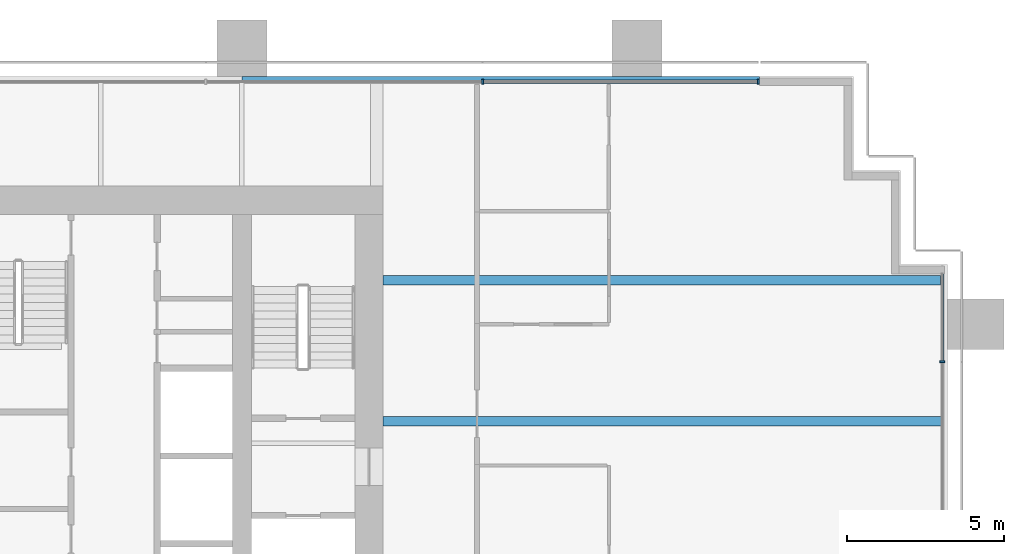
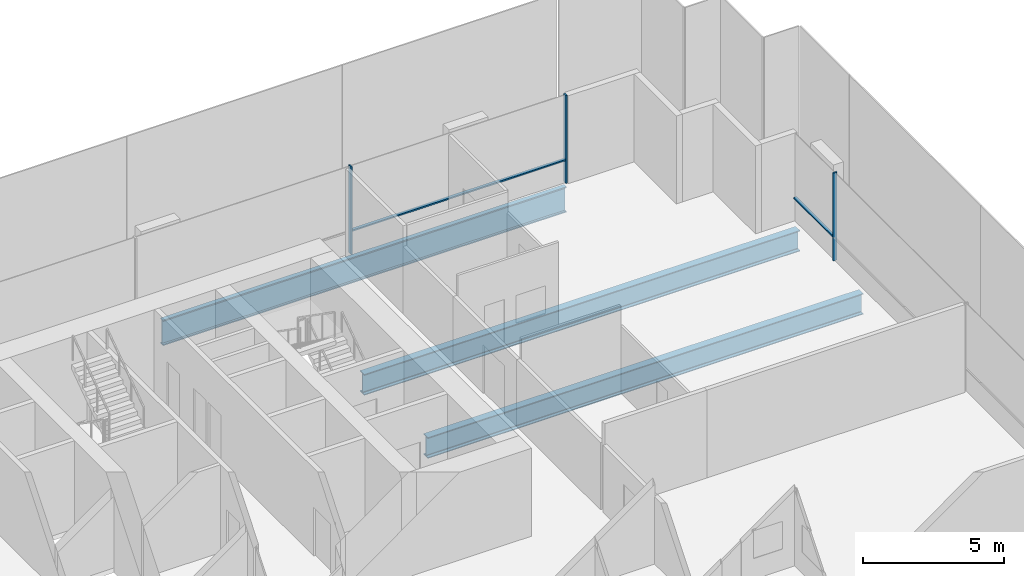
# One storey, part 10 of 19: 5 members, 3 beams, 2 elements without a shape of their own.
"""IFC4 building model written with IfcOpenShell, lengths in metres."""

from ifc_helpers import new_model, si_unit, direction, frame, origin, origin_2d, place, context, subcontext, project, spatial, rectangle, i_section, extrude, material, material_profile, profile_set, type_object, element, aggregate, save


model = new_model("IFC4")

# Units and contexts
model_context = context("Model", 3, precision=1e-05, world=origin(), true_north=direction((0.0, 1.0)))
body_context = subcontext(model_context, "Body", "Model", "MODEL_VIEW")
ifc_project = project(units=[si_unit("LENGTHUNIT", "METRE"), si_unit("AREAUNIT", "SQUARE_METRE"), si_unit("VOLUMEUNIT", "CUBIC_METRE"), si_unit("PLANEANGLEUNIT", "RADIAN"), si_unit("MASSUNIT", "GRAM", prefix="KILO")], contexts=[model_context])

# Site, building, storey
site_placement = place(None, origin())
site = spatial("IfcSite", under=ifc_project, at=site_placement, CompositionType="ELEMENT")
building_placement = place(site_placement, origin())
building = spatial("IfcBuilding", under=site, at=building_placement, Name="Rattan Terrace Tower", CompositionType="ELEMENT")
storey_placement = place(building_placement, frame((0.0, 0.0, 79.699951171875)))
storey = spatial("IfcBuildingStorey", under=building, at=storey_placement, Name="L17", CompositionType="ELEMENT", Elevation=79.699951171875)

# Curtain wall, member
ifc_material_1 = material(Name="Aluminium and glass", Category="aluminium")
curtain_wall_type = type_object("IfcCurtainWallType", Name="Facade Unitised Curtain Wall", PredefinedType="NOTDEFINED", material=ifc_material_1)
curtain_wall_1_placement = place(storey_placement, origin())
curtain_wall_1 = element("IfcCurtainWall", 1, at=curtain_wall_1_placement, inside=storey, type_object=curtain_wall_type, Name="Curtain wall L17-1", PredefinedType="NOTDEFINED")
ifc_material_2 = material(Name="Aluminium", Category="aluminium")
ifc_material_profile_1 = material_profile(ifc_material_2, rectangle(XDim=0.06005859375, YDim=0.159912109375, at=origin_2d()), Name="Aluminium 60x160")
ifc_profile_set_1 = profile_set([ifc_material_profile_1], Name="Aluminium")
member_type_1 = type_object("IfcMemberType", Name="Facade CW Mullion 60x160", PredefinedType="MULLION", material=ifc_profile_set_1)
member_1_placement = place(storey_placement, frame((35.830078125, 1.89990234375, 0.0), z_axis=(0.0, 0.0, 1.0), x_axis=(0.0, 1.0, 0.0)))
member_1 = element("IfcMember", 2, at=member_1_placement, type_object=member_type_1, Name="Mullion cwl-L17-001.4", PredefinedType="MULLION", context=body_context, shape_type="SweptSolid", body=[
    extrude(rectangle(XDim=0.06005859375, YDim=0.159912109375, at=origin_2d()), origin(), (0.0, 0.0, 1.0), 3.800048828125),
])

# Curtain wall, members
curtain_wall_2_placement = place(storey_placement, origin())
curtain_wall_2 = element("IfcCurtainWall", 3, at=curtain_wall_2_placement, inside=storey, type_object=curtain_wall_type, Name="Curtain wall L17-2", PredefinedType="NOTDEFINED")
member_2_placement = place(storey_placement, frame((29.969970703125, 10.830078125, 0.0), z_axis=(0.0, 0.0, 1.0), x_axis=(-1.0, 0.0, 0.0)))
member_2 = element("IfcMember", 4, at=member_2_placement, type_object=member_type_1, Name="Mullion cwl-L17-002.1", PredefinedType="MULLION", context=body_context, shape_type="SweptSolid", body=[
    extrude(rectangle(XDim=0.06005859375, YDim=0.159912109375, at=origin_2d()), origin(), (0.0, 0.0, 1.0), 3.800048828125),
])
member_3_placement = place(storey_placement, frame((21.177001953125, 10.830078125, 0.0), z_axis=(0.0, 0.0, 1.0), x_axis=(-1.0, 0.0, 0.0)))
member_3 = element("IfcMember", 5, at=member_3_placement, type_object=member_type_1, Name="Mullion cwl-L17-002.2", PredefinedType="MULLION", context=body_context, shape_type="SweptSolid", body=[
    extrude(rectangle(XDim=0.06005859375, YDim=0.159912109375, at=origin_2d()), origin(), (0.0, 0.0, 1.0), 3.800048828125),
])

# Member
ifc_material_3 = material(Name="Aluminium", Category="aluminium")
ifc_material_profile_2 = material_profile(ifc_material_3, rectangle(XDim=0.1201171875, YDim=0.06005859375, at=origin_2d()), Name="Aluminium 120x60")
ifc_profile_set_2 = profile_set([ifc_material_profile_2], Name="Aluminium")
member_type_2 = type_object("IfcMemberType", Name="Facade CW Transom 120x60", PredefinedType="USERDEFINED", material=ifc_profile_set_2)
member_4_placement = place(storey_placement, frame((35.830078125, 1.929931640625, 1.0), z_axis=(0.0, 1.0, 0.0), x_axis=(-1.0, 0.0, 0.0)))
member_4 = element("IfcMember", 6, at=member_4_placement, type_object=member_type_2, Name="Transom cwl-L17-001.4", ObjectType="TRANSOM", PredefinedType="USERDEFINED", context=body_context, shape_type="SweptSolid", body=[
    extrude(rectangle(XDim=0.1201171875, YDim=0.06005859375, at=origin_2d()), origin(), (0.0, 0.0, 1.0), 2.775146484375),
])

aggregate(curtain_wall_1, [member_1, member_4])

member_5_placement = place(storey_placement, frame((29.93994140625, 10.830078125, 1.0), z_axis=(-1.0, 0.0, 0.0), x_axis=(0.0, -1.0, 0.0)))
member_5 = element("IfcMember", 7, at=member_5_placement, type_object=member_type_2, Name="Transom cwl-L17-002.1", ObjectType="TRANSOM", PredefinedType="USERDEFINED", context=body_context, shape_type="SweptSolid", body=[
    extrude(rectangle(XDim=0.1201171875, YDim=0.06005859375, at=origin_2d()), origin(), (0.0, 0.0, 1.0), 8.73291015625),
])

aggregate(curtain_wall_2, [member_2, member_3, member_5])

# Beams
ifc_material_4 = material(Name="Steel S460", Category="steel")
ifc_material_profile_3 = material_profile(ifc_material_4, i_section(OverallWidth=0.179931640625, OverallDepth=1.10009765625, WebThickness=0.01611328125, FlangeThickness=0.050048828125, at=origin_2d()), Name="PG 1100x180-16-50")
ifc_profile_set_3 = profile_set([ifc_material_profile_3], Name="Steel S460")
beam_type_1 = type_object("IfcBeamType", Name="Frame edge girder PG 1100x180-16-50", PredefinedType="SPANDREL", material=ifc_profile_set_3)
beam_placement = place(storey_placement, frame((30.0, 10.909912109375, -0.75), z_axis=(-1.0, 0.0, 0.0), x_axis=(0.0, -1.0, 0.0)))
element("IfcBeam", 8, at=beam_placement, inside=storey, type_object=beam_type_1, Name="gdr-L17-008", PredefinedType="SPANDREL", context=body_context, shape_type="SweptSolid", body=[
    extrude(i_section(OverallWidth=0.179931640625, OverallDepth=1.10009765625, WebThickness=0.01611328125, FlangeThickness=0.050048828125, at=origin_2d()), origin(), (0.0, 0.0, 1.0), 16.5),
])
ifc_material_5 = material(Name="Steel S355", Category="steel")
ifc_material_profile_4 = material_profile(ifc_material_5, i_section(OverallWidth=0.300048828125, OverallDepth=0.89990234375, WebThickness=0.0185546875, FlangeThickness=0.034912109375, FilletRadius=0.030029296875, at=origin_2d()), Name="HE 900 B")
ifc_profile_set_4 = profile_set([ifc_material_profile_4], Name="Steel S355")
beam_type_2 = type_object("IfcBeamType", Name="Frame floor beam HE 900 B", PredefinedType="JOIST", material=ifc_profile_set_4)
for number, where, z_axis, x_axis, name in (
    (9, (18.0, 0.0, -0.64990234375), (1.0, 0.0, 0.0), (0.0, 1.0, 0.0), "bm-L17-015"),
    (10, (18.0, 4.5, -0.64990234375), (1.0, 0.0, 0.0), (0.0, 1.0, 0.0), "bm-L17-017"),
):
    element("IfcBeam", number, at=place(storey_placement, frame(where, z_axis=z_axis, x_axis=x_axis)), inside=storey, type_object=beam_type_2, Name=name, PredefinedType="JOIST", context=body_context, shape_type="SweptSolid", body=[
        extrude(i_section(OverallWidth=0.300048828125, OverallDepth=0.89990234375, WebThickness=0.0185546875, FlangeThickness=0.034912109375, FilletRadius=0.030029296875, at=origin_2d()), origin(), (0.0, 0.0, 1.0), 17.820068359375),
    ])

save(model, "model.ifc")
